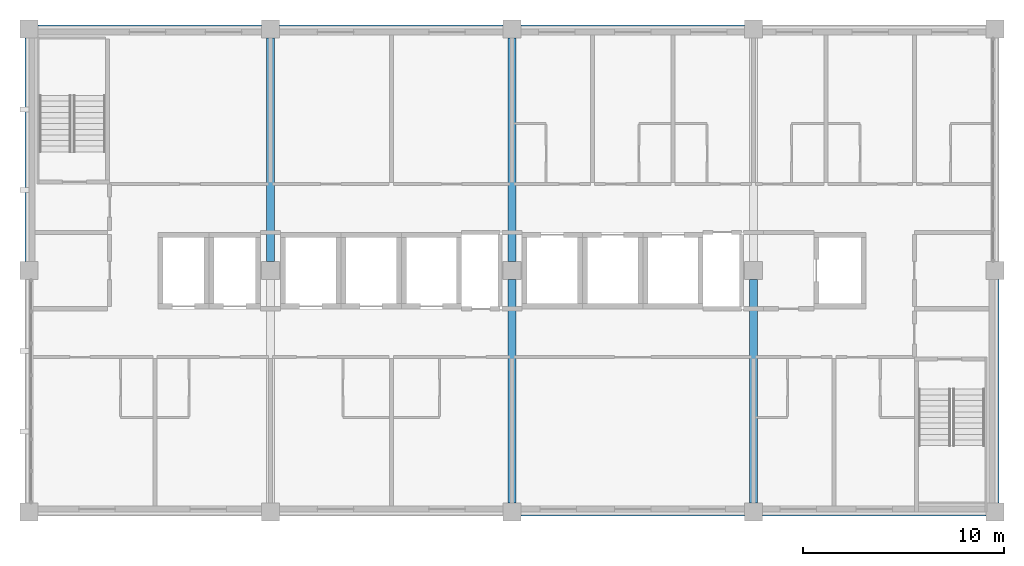
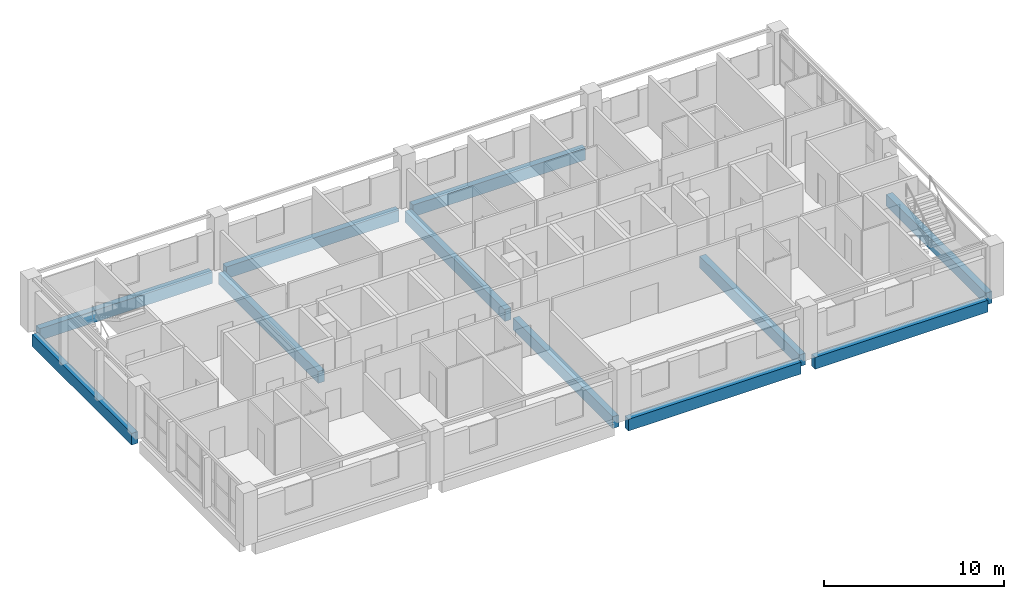
# One storey, part 3 of 11: 11 beams.
"""IFC4 building model written with IfcOpenShell, lengths in metres."""

from ifc_helpers import new_model, si_unit, direction, frame, origin, origin_2d, place, context, subcontext, project, spatial, rectangle, extrude, material, material_profile, profile_set, type_object, element, save


model = new_model("IFC4")

# Units and contexts
model_context = context("Model", 3, precision=1e-05, world=origin(), true_north=direction((0.0, 1.0)))
body_context = subcontext(model_context, "Body", "Model", "MODEL_VIEW")
ifc_project = project(units=[si_unit("LENGTHUNIT", "METRE"), si_unit("AREAUNIT", "SQUARE_METRE"), si_unit("VOLUMEUNIT", "CUBIC_METRE"), si_unit("PLANEANGLEUNIT", "RADIAN"), si_unit("MASSUNIT", "GRAM", prefix="KILO")], contexts=[model_context])

# Site, building, storey
site_placement = place(None, origin())
site = spatial("IfcSite", under=ifc_project, at=site_placement, CompositionType="ELEMENT")
building_placement = place(site_placement, origin())
building = spatial("IfcBuilding", under=site, at=building_placement, Name="Lilac Gate Convention Centre", CompositionType="ELEMENT")
storey_placement = place(building_placement, frame((0.0, 0.0, 31.800048828125)))
storey = spatial("IfcBuildingStorey", under=building, at=storey_placement, Name="L07", CompositionType="ELEMENT", Elevation=31.800048828125)

# Beams
ifc_material = material(Name="Concrete C40", Category="concrete")
ifc_material_profile = material_profile(ifc_material, rectangle(XDim=0.39990234375, YDim=0.800048828125, at=origin_2d()), Name="RC 400x800")
ifc_profile_set = profile_set([ifc_material_profile], Name="Concrete C40")
beam_type = type_object("IfcBeamType", Name="Tower primary beam 400x800 C40", PredefinedType="BEAM", material=ifc_profile_set)
for number, where, z_axis, x_axis, name in (
    (1, (66.449951171875, 222.0, -0.60009765625), (1.0, 0.0, 0.0), (0.0, 1.0, 0.0), "RB3 L07 6/S-7/S"),
    (2, (78.449951171875, 222.0, -0.60009765625), (1.0, 0.0, 0.0), (0.0, 1.0, 0.0), "RB3 L07 7/S-8/S"),
    (3, (42.449951171875, 246.0, -0.60009765625), (1.0, 0.0, 0.0), (0.0, 1.0, 0.0), "RB3 L07 4/U-5/U"),
    (4, (54.449951171875, 246.0, -0.60009765625), (1.0, 0.0, 0.0), (0.0, 1.0, 0.0), "RB3 L07 5/U-6/U"),
    (5, (66.449951171875, 246.0, -0.60009765625), (1.0, 0.0, 0.0), (0.0, 1.0, 0.0), "RB3 L07 6/U-7/U"),
    (6, (42.0, 234.449951171875, -0.60009765625), (0.0, 1.0, 0.0), (-1.0, 0.0, 0.0), "RB3 L07 4/T-4/U"),
    (7, (54.0, 234.449951171875, -0.60009765625), (0.0, 1.0, 0.0), (-1.0, 0.0, 0.0), "RB3 L07 5/T-5/U"),
    (8, (66.0, 222.449951171875, -0.60009765625), (0.0, 1.0, 0.0), (-1.0, 0.0, 0.0), "RB3 L07 6/S-6/T"),
    (9, (66.0, 234.449951171875, -0.60009765625), (0.0, 1.0, 0.0), (-1.0, 0.0, 0.0), "RB3 L07 6/T-6/U"),
    (10, (78.0, 222.449951171875, -0.60009765625), (0.0, 1.0, 0.0), (-1.0, 0.0, 0.0), "RB3 L07 7/S-7/T"),
    (11, (90.0, 222.449951171875, -0.60009765625), (0.0, 1.0, 0.0), (-1.0, 0.0, 0.0), "RB3 L07 8/S-8/T"),
):
    element("IfcBeam", number, at=place(storey_placement, frame(where, z_axis=z_axis, x_axis=x_axis)), inside=storey, type_object=beam_type, Name=name, PredefinedType="BEAM", context=body_context, shape_type="SweptSolid", body=[
        extrude(rectangle(XDim=0.39990234375, YDim=0.800048828125, at=origin_2d()), origin(), (0.0, 0.0, 1.0), 11.10009765625),
    ])

save(model, "model.ifc")
